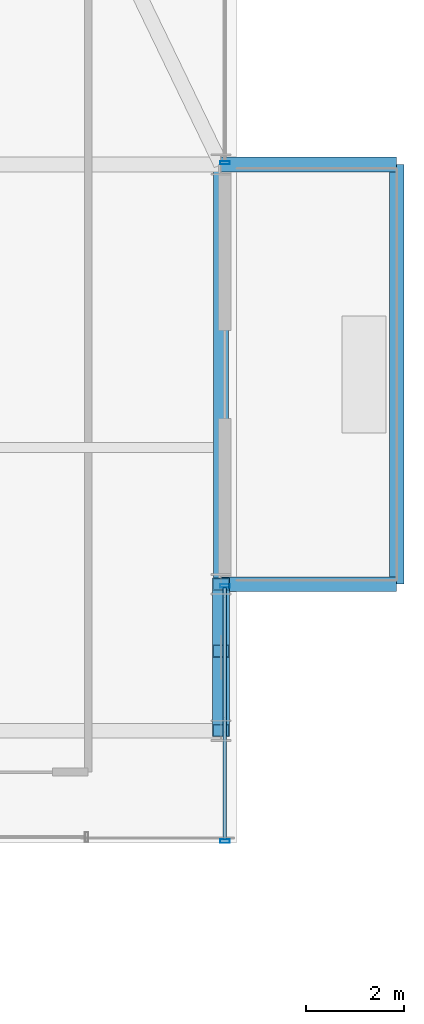
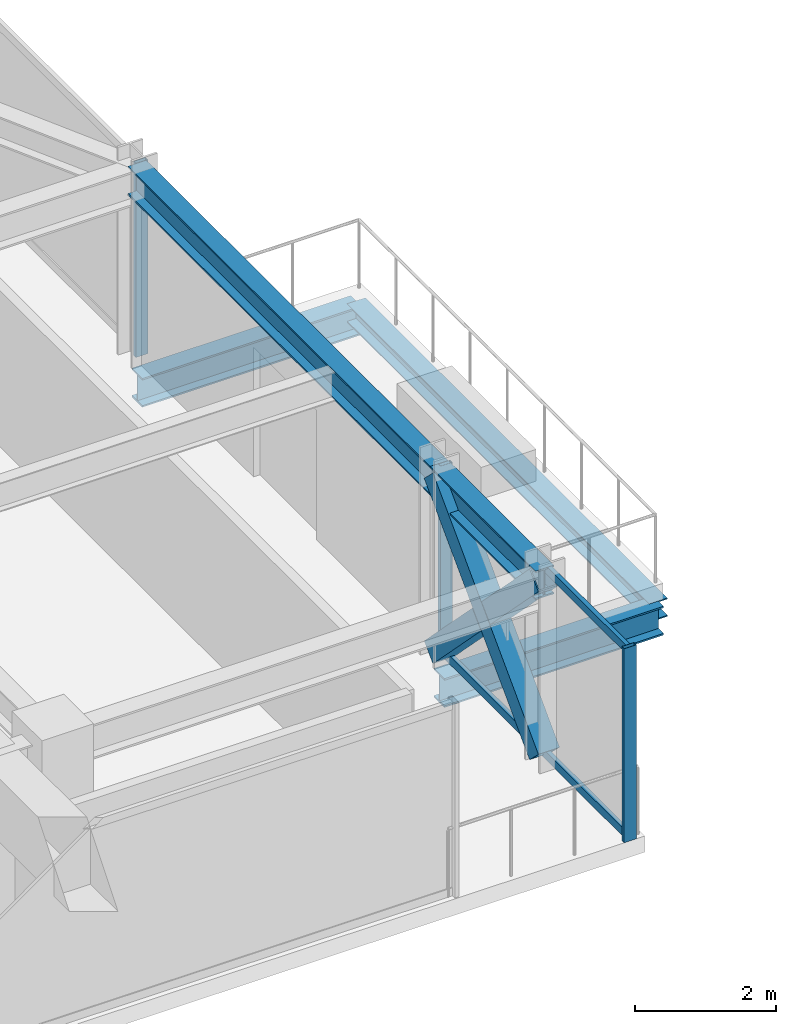
# One storey, part 31 of 43: 8 members, 5 beams, 2 elements without a shape of their own.
"""IFC4 building model written with IfcOpenShell, lengths in metres."""

from ifc_helpers import new_model, si_unit, direction, frame, origin, origin_2d, place, context, subcontext, project, spatial, hollow_rectangle, i_section, extrude, source, transform, mapped, material, material_profile, profile_set, type_object, element, aggregate, save


model = new_model("IFC4")

# Units and contexts
model_context = context("Model", 3, precision=1e-05, world=origin(), true_north=direction((0.0, 1.0)))
body_context = subcontext(model_context, "Body", "Model", "MODEL_VIEW")
ifc_project = project(units=[si_unit("LENGTHUNIT", "METRE"), si_unit("AREAUNIT", "SQUARE_METRE"), si_unit("VOLUMEUNIT", "CUBIC_METRE"), si_unit("PLANEANGLEUNIT", "RADIAN"), si_unit("MASSUNIT", "GRAM", prefix="KILO")], contexts=[model_context])

# Site, building, storey
site_placement = place(None, origin())
site = spatial("IfcSite", under=ifc_project, at=site_placement, CompositionType="ELEMENT")
building_placement = place(site_placement, origin())
building = spatial("IfcBuilding", under=site, at=building_placement, Name="Nahalor Promenade Grand Hotel", CompositionType="ELEMENT")
storey_placement = place(building_placement, frame((0.0, 0.0, 57.949951171875)))
storey = spatial("IfcBuildingStorey", under=building, at=storey_placement, Name="L13", CompositionType="ELEMENT", Elevation=57.949951171875)

# Beams
ifc_material_1 = material(Name="Steel S355JR", Category="steel")
ifc_material_profile_1 = material_profile(ifc_material_1, i_section(OverallWidth=0.3, OverallDepth=0.32, WebThickness=0.0115, FlangeThickness=0.0205, at=origin_2d()), Name="HEB 320")
ifc_profile_set_1 = profile_set([ifc_material_profile_1], Name="Steel S355JR")
beam_type_1 = type_object("IfcBeamType", Name="Beam-BalcEdge-HEB320", PredefinedType="SPANDREL", material=ifc_profile_set_1)
shared_shape_1 = source(origin(), body_context, "Body", "SweptSolid", [
    extrude(i_section(OverallWidth=0.3, OverallDepth=0.32, WebThickness=0.0115, FlangeThickness=0.0205, at=origin_2d()), origin(), (0.0, 0.0, 1.0), 8.60009765625),
])
beam_1_placement = place(storey_placement, frame((28.679931640625, 8.39990234375, -0.43994140625), z_axis=(0.0, 1.0, 0.0), x_axis=(-1.0, 0.0, 0.0)))
element("IfcBeam", 1, at=beam_1_placement, inside=storey, type_object=beam_type_1, Name="BM-L13-BC-02-F", PredefinedType="SPANDREL", context=body_context, shape_type="MappedRepresentation", body=[
    mapped(shared_shape_1, transform((0.0, 0.0, 0.0), scale=1.0)),
])
ifc_material_profile_2 = material_profile(ifc_material_1, i_section(OverallWidth=0.3, OverallDepth=0.5, WebThickness=0.0145, FlangeThickness=0.028, at=origin_2d()), Name="HEB 500")
ifc_profile_set_2 = profile_set([ifc_material_profile_2], Name="Steel S355JR")
beam_type_2 = type_object("IfcBeamType", Name="Beam-Outrigger-HEB500", PredefinedType="BEAM", material=ifc_profile_set_2)
shared_shape_2 = source(origin(), body_context, "Body", "SweptSolid", [
    extrude(i_section(OverallWidth=0.3, OverallDepth=0.5, WebThickness=0.0145, FlangeThickness=0.028, at=origin_2d()), origin(), (0.0, 0.0, 1.0), 3.599853515625),
])
for number, where, z_axis, x_axis, name in (
    (2, (25.080078125, 8.39990234375, -0.530029296875), (1.0, 0.0, 0.0), (0.0, 1.0, 0.0), "BM-L13-BC-02-1"),
    (3, (25.080078125, 17.0, -0.530029296875), (1.0, 0.0, 0.0), (0.0, 1.0, 0.0), "BM-L13-BC-02-2"),
):
    element("IfcBeam", number, at=place(storey_placement, frame(where, z_axis=z_axis, x_axis=x_axis)), inside=storey, type_object=beam_type_2, Name=name, PredefinedType="BEAM", context=body_context, shape_type="MappedRepresentation", body=[
        mapped(shared_shape_2, transform((0.0, 0.0, 0.0), scale=1.0)),
    ])
ifc_material_profile_3 = material_profile(ifc_material_1, i_section(OverallWidth=0.3, OverallDepth=0.5, WebThickness=0.0145, FlangeThickness=0.028, at=origin_2d()), Name="HEB 500")
ifc_profile_set_3 = profile_set([ifc_material_profile_3], Name="Steel S355JR")
beam_type_3 = type_object("IfcBeamType", Name="Beam-Spandrel-HEB500", PredefinedType="SPANDREL", material=ifc_profile_set_3)
shared_shape_3 = source(origin(), body_context, "Body", "SweptSolid", [
    extrude(i_section(OverallWidth=0.3, OverallDepth=0.5, WebThickness=0.0145, FlangeThickness=0.028, at=origin_2d()), origin(), (0.0, 0.0, 1.0), 8.60009765625),
])
beam_2_placement = place(storey_placement, frame((25.080078125, 8.39990234375, 3.1201171875), z_axis=(0.0, 1.0, 0.0), x_axis=(-1.0, 0.0, 0.0)))
element("IfcBeam", 4, at=beam_2_placement, inside=storey, type_object=beam_type_3, Name="BM-L13-SP-E-4", PredefinedType="SPANDREL", context=body_context, shape_type="MappedRepresentation", body=[
    mapped(shared_shape_3, transform((0.0, 0.0, 0.0), scale=1.0)),
])
shared_shape_4 = source(origin(), body_context, "Body", "SweptSolid", [
    extrude(i_section(OverallWidth=0.3, OverallDepth=0.5, WebThickness=0.0145, FlangeThickness=0.028, at=origin_2d()), origin(), (0.0, 0.0, 1.0), 3.0),
])
beam_3_placement = place(storey_placement, frame((25.080078125, 5.39990234375, 3.1201171875), z_axis=(0.0, 1.0, 0.0), x_axis=(-1.0, 0.0, 0.0)))
element("IfcBeam", 5, at=beam_3_placement, inside=storey, type_object=beam_type_3, Name="BM-L13-SP-E-3", PredefinedType="SPANDREL", context=body_context, shape_type="MappedRepresentation", body=[
    mapped(shared_shape_4, transform((0.0, 0.0, 0.0), scale=1.0)),
])

# Members
ifc_material_profile_4 = material_profile(ifc_material_1, hollow_rectangle(XDim=0.35, YDim=0.35, WallThickness=0.02, at=origin_2d()), Name="SHS 350x350x20")
ifc_profile_set_4 = profile_set([ifc_material_profile_4], Name="Steel S355JR")
member_type_1 = type_object("IfcMemberType", Name="Mem-VoidBrace-SHS350", PredefinedType="BRACE", material=ifc_profile_set_4)
shared_shape_5 = source(origin(), body_context, "Body", "SweptSolid", [
    extrude(hollow_rectangle(XDim=0.35, YDim=0.35, WallThickness=0.02, at=origin_2d()), origin(), (0.0, 0.0, 1.0), 1.959228515625),
])
member_1_placement = place(storey_placement, frame((25.080078125, 6.769287109375, 1.81884765625), z_axis=(0.0, -0.698960471031, 0.715160303663), x_axis=(1.0, 0.0, 0.0)))
element("IfcMember", 6, at=member_1_placement, inside=storey, type_object=member_type_1, Name="EXO-L13-VX2-E1B", PredefinedType="BRACE", context=body_context, shape_type="MappedRepresentation", body=[
    mapped(shared_shape_5, transform((0.0, 0.0, 0.0), scale=1.0)),
])
shared_shape_6 = source(origin(), body_context, "Body", "SweptSolid", [
    extrude(hollow_rectangle(XDim=0.35, YDim=0.35, WallThickness=0.02, at=origin_2d()), origin(), (0.0, 0.0, 1.0), 1.958984375),
])
member_2_placement = place(storey_placement, frame((25.080078125, 8.39990234375, 0.150146484375), z_axis=(0.0, -0.698896728293, 0.715222596946), x_axis=(1.0, 0.0, 0.0)))
element("IfcMember", 7, at=member_2_placement, inside=storey, type_object=member_type_1, Name="EXO-L13-VX2-E1A", PredefinedType="BRACE", context=body_context, shape_type="MappedRepresentation", body=[
    mapped(shared_shape_6, transform((0.0, 0.0, 0.0), scale=1.0)),
])
shared_shape_7 = source(origin(), body_context, "Body", "SweptSolid", [
    extrude(hollow_rectangle(XDim=0.35, YDim=0.35, WallThickness=0.02, at=origin_2d()), origin(), (0.0, 0.0, 1.0), 4.292236328125),
])
member_3_placement = place(storey_placement, frame((25.080078125, 5.39990234375, 0.150146484375), z_axis=(0.0, 0.698926335708, 0.715193664159), x_axis=(-1.0, 0.0, 0.0)))
element("IfcMember", 8, at=member_3_placement, inside=storey, type_object=member_type_1, Name="EXO-L13-VX1-E1", PredefinedType="BRACE", context=body_context, shape_type="MappedRepresentation", body=[
    mapped(shared_shape_7, transform((0.0, 0.0, 0.0), scale=1.0)),
])

# Curtain wall, members
ifc_material_2 = material(Name="Anodised Bronze Aluminium EN AW-6063 T6", Category="aluminium")
curtain_wall_type = type_object("IfcCurtainWallType", Name="CW3 Elliptical-Void Collar Unitised Curtain Wall", PredefinedType="USERDEFINED", material=ifc_material_2)
curtain_wall_1_placement = place(storey_placement, origin())
curtain_wall_1 = element("IfcCurtainWall", 9, at=curtain_wall_1_placement, inside=storey, type_object=curtain_wall_type, Name="L13 Curtain Wall CW-L13-E-2", ObjectType="UNITISED_CURTAIN_WALL", PredefinedType="USERDEFINED")
ifc_material_profile_5 = material_profile(ifc_material_2, hollow_rectangle(XDim=0.07, YDim=0.2, WallThickness=0.005, at=origin_2d()), Name="CWM 70x200x5")
ifc_profile_set_5 = profile_set([ifc_material_profile_5], Name="Anodised Bronze Aluminium EN AW-6063 T6")
member_type_2 = type_object("IfcMemberType", Name="CWM3 Void Collar Mullion 70x200", PredefinedType="MULLION", material=ifc_profile_set_5)
shared_shape_8 = source(origin(), body_context, "Body", "SweptSolid", [
    extrude(hollow_rectangle(XDim=0.07, YDim=0.2, WallThickness=0.005, at=origin_2d()), origin(), (0.0, 0.0, 1.0), 3.3701171875),
])
member_4_placement = place(storey_placement, frame((25.159912109375, 3.135009765625, 0.0), z_axis=(0.0, 0.0, 1.0), x_axis=(0.0, 1.0, 0.0)))
member_4 = element("IfcMember", 10, at=member_4_placement, type_object=member_type_2, Name="CW-L13-E-2 Mullion 0", PredefinedType="MULLION", context=body_context, shape_type="MappedRepresentation", body=[
    mapped(shared_shape_8, transform((0.0, 0.0, 0.0), scale=1.0)),
])
member_5_placement = place(storey_placement, frame((25.159912109375, 8.364990234375, 0.0), z_axis=(0.0, 0.0, 1.0), x_axis=(0.0, 1.0, 0.0)))
member_5 = element("IfcMember", 11, at=member_5_placement, type_object=member_type_2, Name="CW-L13-E-2 Mullion 1", PredefinedType="MULLION", context=body_context, shape_type="MappedRepresentation", body=[
    mapped(shared_shape_8, transform((0.0, 0.0, 0.0), scale=1.0)),
])

# Curtain wall, member
curtain_wall_2_placement = place(storey_placement, origin())
curtain_wall_2 = element("IfcCurtainWall", 12, at=curtain_wall_2_placement, inside=storey, type_object=curtain_wall_type, Name="L13 Curtain Wall CW-L13-E-4", ObjectType="UNITISED_CURTAIN_WALL", PredefinedType="USERDEFINED")
member_6_placement = place(storey_placement, frame((25.159912109375, 17.034912109375, 0.0), z_axis=(0.0, 0.0, 1.0), x_axis=(0.0, 1.0, 0.0)))
member_6 = element("IfcMember", 13, at=member_6_placement, type_object=member_type_2, Name="CW-L13-E-4 Mullion 0", PredefinedType="MULLION", context=body_context, shape_type="MappedRepresentation", body=[
    mapped(shared_shape_8, transform((0.0, 0.0, 0.0), scale=1.0)),
])
aggregate(curtain_wall_2, [member_6])

# Member
ifc_material_profile_6 = material_profile(ifc_material_2, hollow_rectangle(XDim=0.07, YDim=0.14, WallThickness=0.004, at=origin_2d()), Name="CWT 70x140x4")
ifc_profile_set_6 = profile_set([ifc_material_profile_6], Name="Anodised Bronze Aluminium EN AW-6063 T6")
member_type_3 = type_object("IfcMemberType", Name="CWT3 Void Collar Transom 70x140", PredefinedType="USERDEFINED", material=ifc_profile_set_6)
shared_shape_9 = source(origin(), body_context, "Body", "SweptSolid", [
    extrude(hollow_rectangle(XDim=0.07, YDim=0.14, WallThickness=0.004, at=origin_2d()), origin(), (0.0, 0.0, 1.0), 5.16015625),
])
member_7_placement = place(storey_placement, frame((25.159912109375, 3.169921875, 0.070068359375), z_axis=(0.0, 1.0, 0.0), x_axis=(-1.0, 0.0, 0.0)))
member_7 = element("IfcMember", 14, at=member_7_placement, type_object=member_type_3, Name="CW-L13-E-2 Transom 0-0", ObjectType="TRANSOM", PredefinedType="USERDEFINED", context=body_context, shape_type="MappedRepresentation", body=[
    mapped(shared_shape_9, transform((0.0, 0.0, 0.0), scale=1.0)),
])

member_8_placement = place(storey_placement, frame((25.159912109375, 3.169921875, 3.300048828125), z_axis=(0.0, 1.0, 0.0), x_axis=(-1.0, 0.0, 0.0)))
member_8 = element("IfcMember", 15, at=member_8_placement, type_object=member_type_3, Name="CW-L13-E-2 Transom 0-1", ObjectType="TRANSOM", PredefinedType="USERDEFINED", context=body_context, shape_type="MappedRepresentation", body=[
    mapped(shared_shape_9, transform((0.0, 0.0, 0.0), scale=1.0)),
])

aggregate(curtain_wall_1, [member_4, member_5, member_7, member_8])

save(model, "model.ifc")
